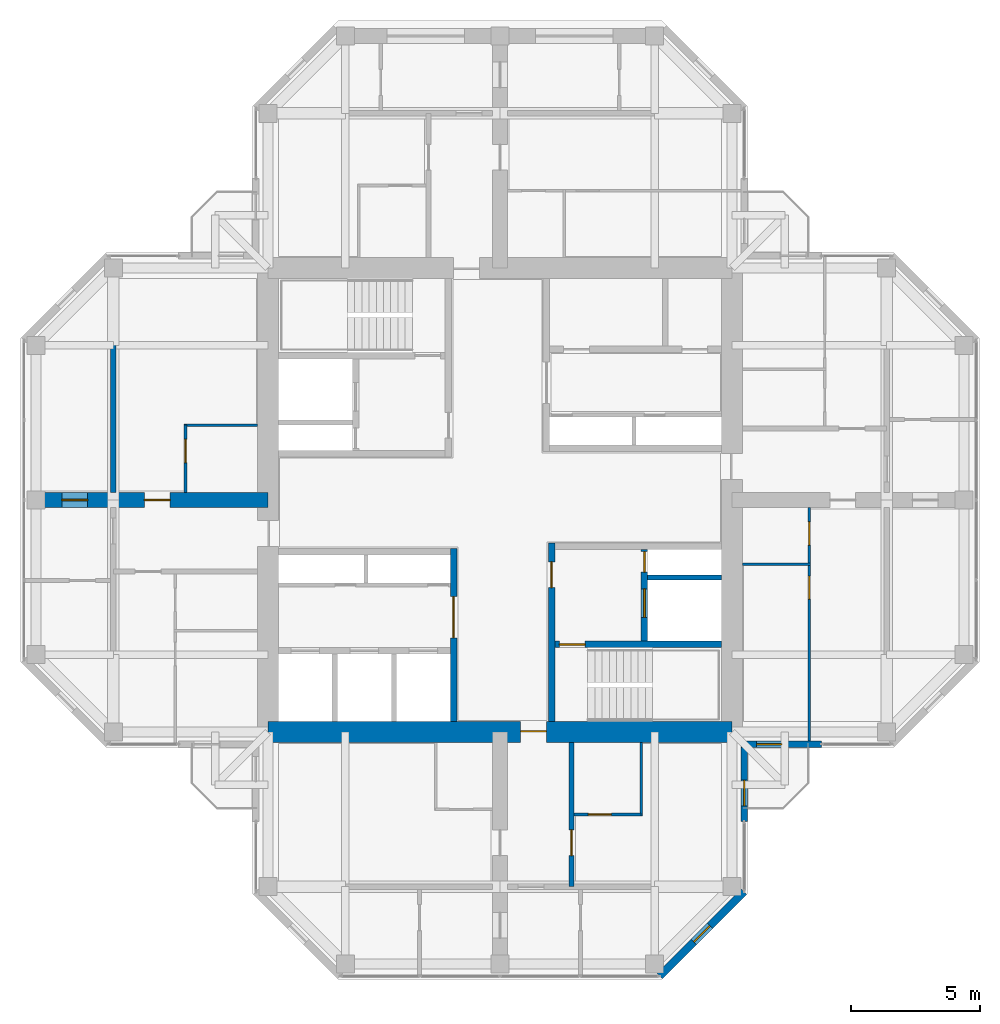
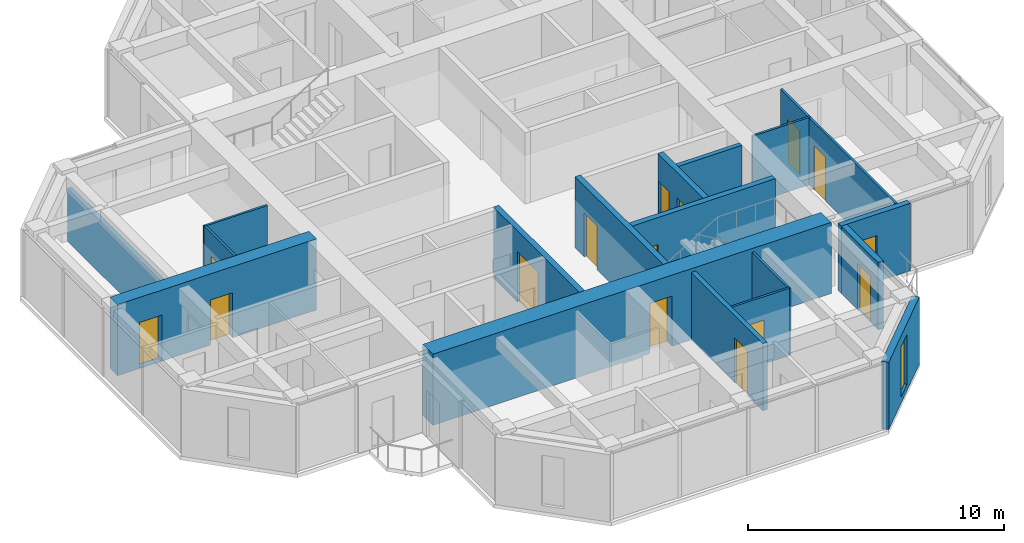
# One storey, part 9 of 13: 18 walls, 15 doors, 1 window, 16 openings.
"""IFC4 building model written with IfcOpenShell, lengths in metres."""

from ifc_helpers import new_model, si_unit, direction, frame, frame_2d, origin, place, context, subcontext, project, spatial, rectangle, hollow_rectangle, extrude, material, layer, layer_set, constituent, constituent_set, type_object, element, fill, save


model = new_model("IFC4")

# Units and contexts
model_context = context("Model", 3, precision=1e-05, world=origin(), true_north=direction((0.0, 1.0)))
body_context = subcontext(model_context, "Body", "Model", "MODEL_VIEW")
ifc_project = project(units=[si_unit("LENGTHUNIT", "METRE"), si_unit("AREAUNIT", "SQUARE_METRE"), si_unit("VOLUMEUNIT", "CUBIC_METRE"), si_unit("PLANEANGLEUNIT", "RADIAN"), si_unit("MASSUNIT", "GRAM", prefix="KILO")], contexts=[model_context])

# Site, building, storey
site_placement = place(None, origin())
site = spatial("IfcSite", under=ifc_project, at=site_placement, CompositionType="ELEMENT")
building_placement = place(site_placement, origin())
building = spatial("IfcBuilding", under=site, at=building_placement, Name="Torre Cruceta", CompositionType="ELEMENT")
storey_placement = place(building_placement, frame((0.0, 0.0, 278.10009765625)))
storey = spatial("IfcBuildingStorey", under=building, at=storey_placement, Name="L72", CompositionType="ELEMENT", Elevation=278.10009765625)

# Wall
ifc_material_1 = material(Name="Water-resistant plasterboard on steel studs", Category="steel")
ifc_layer_1 = layer(ifc_material_1, 0.10009765625)
ifc_layer_set_1 = layer_set([ifc_layer_1], Name="Water-resistant plasterboard on steel studs")
wall_type_1 = type_object("IfcWallType", Name="BATHROOM WALL 100", PredefinedType="PARTITIONING", material=ifc_layer_set_1)
wall_1_placement = place(storey_placement, frame((9.39990234375, -2.5, 0.0), z_axis=(0.0, 0.0, 1.0), x_axis=(1.0, 0.0, 0.0)))
element("IfcWall", 1, at=wall_1_placement, inside=storey, type_object=wall_type_1, Name="PT4 L72-E-U1RBB", PredefinedType="PARTITIONING", context=body_context, shape_type="SweptSolid", body=[
    extrude(rectangle(XDim=2.650146484375, YDim=0.10009765625, at=frame_2d((1.3251953125, 0.0))), origin(), (0.0, 0.0, 1.0), 3.219970703125),
])

# Wall, openings, doors
wall_2_placement = place(storey_placement, frame((12.0, -9.344970703125, 0.0), z_axis=(0.0, 0.0, 1.0), x_axis=(0.0, 1.0, 0.0)))
wall_2 = element("IfcWall", 2, at=wall_2_placement, inside=storey, type_object=wall_type_1, Name="PT4 L72-E-U1RBS", PredefinedType="PARTITIONING", context=body_context, shape_type="SweptSolid", body=[
    extrude(rectangle(XDim=9.044921875, YDim=0.10009765625, at=frame_2d((4.5224609375, 0.0))), origin(), (0.0, 0.0, 1.0), 3.219970703125),
])
opening_1_placement = place(wall_2_placement, frame((5.4951171875, 0.0, 0.0)))
opening_1 = element("IfcOpeningElement", 3, at=opening_1_placement, cuts=wall_2, Name="Opening D7", PredefinedType="OPENING", context=body_context, shape_type="SweptSolid", body=[
    extrude(rectangle(XDim=0.89990234375, YDim=2.10009765625, at=frame_2d((0.449951171875, 1.050048828125))), frame((0.0, 0.06005859375, 0.0), z_axis=(0.0, -1.0, 0.0), x_axis=(1.0, 0.0, 0.0)), (0.0, 0.0, 1.0), 0.1201171875),
])
opening_2_placement = place(wall_2_placement, frame((7.594970703125, 0.0, 0.0)))
opening_2 = element("IfcOpeningElement", 4, at=opening_2_placement, cuts=wall_2, Name="Opening D7", PredefinedType="OPENING", context=body_context, shape_type="SweptSolid", body=[
    extrude(rectangle(XDim=0.89990234375, YDim=2.10009765625, at=frame_2d((0.449951171875, 1.050048828125))), frame((0.0, 0.06005859375, 0.0), z_axis=(0.0, -1.0, 0.0), x_axis=(1.0, 0.0, 0.0)), (0.0, 0.0, 1.0), 0.1201171875),
])
ifc_material_2 = material(Name="Timber door", Category="wood")
door_type_1 = type_object("IfcDoorType", Name="BATHROOM DOOR 900X2100", OperationType="SINGLE_SWING_LEFT", PredefinedType="DOOR", material=ifc_material_2)
door_1_placement = place(opening_1_placement, origin())
door_1 = element("IfcDoor", 5, at=door_1_placement, inside=storey, type_object=door_type_1, Name="D7 L72-E-U1RBS-D1", OperationType="SINGLE_SWING_RIGHT", OverallHeight=2.10009765625, OverallWidth=0.89990234375, PredefinedType="DOOR", context=body_context, shape_type="SweptSolid", body=[
    extrude(rectangle(XDim=0.89990234375, YDim=2.10009765625, at=frame_2d((0.449951171875, 1.050048828125))), frame((0.0, 0.02490234375, 0.0), z_axis=(0.0, -1.0, 0.0), x_axis=(1.0, 0.0, 0.0)), (0.0, 0.0, 1.0), 0.050048828125),
])
fill(opening_1, door_1)
door_2_placement = place(opening_2_placement, origin())
door_2 = element("IfcDoor", 6, at=door_2_placement, inside=storey, type_object=door_type_1, Name="D7 L72-E-U1RBS-D2", OperationType="SINGLE_SWING_RIGHT", OverallHeight=2.10009765625, OverallWidth=0.89990234375, PredefinedType="DOOR", context=body_context, shape_type="SweptSolid", body=[
    extrude(rectangle(XDim=0.89990234375, YDim=2.10009765625, at=frame_2d((0.449951171875, 1.050048828125))), frame((0.0, 0.02490234375, 0.0), z_axis=(0.0, -1.0, 0.0), x_axis=(1.0, 0.0, 0.0)), (0.0, 0.0, 1.0), 0.050048828125),
])
fill(opening_2, door_2)

# Wall
wall_3_placement = place(storey_placement, frame((5.47509765625, -9.39990234375, 0.0), z_axis=(0.0, 0.0, 1.0), x_axis=(0.0, -1.0, 0.0)))
element("IfcWall", 7, at=wall_3_placement, inside=storey, type_object=wall_type_1, Name="PT4 L72-S-U1LBB", PredefinedType="PARTITIONING", context=body_context, shape_type="SweptSolid", body=[
    extrude(rectangle(XDim=2.85009765625, YDim=0.10009765625, at=frame_2d((1.425048828125, 0.0))), origin(), (0.0, 0.0, 1.0), 3.219970703125),
])

# Wall, opening, door
wall_4_placement = place(storey_placement, frame((2.875, -12.199951171875, 0.0), z_axis=(0.0, 0.0, 1.0), x_axis=(1.0, 0.0, 0.0)))
wall_4 = element("IfcWall", 8, at=wall_4_placement, inside=storey, type_object=wall_type_1, Name="PT4 L72-S-U1LBS", PredefinedType="PARTITIONING", context=body_context, shape_type="SweptSolid", body=[
    extrude(rectangle(XDim=2.60009765625, YDim=0.10009765625, at=frame_2d((1.300048828125, 0.0))), origin(), (0.0, 0.0, 1.0), 3.219970703125),
])
opening_3_placement = place(wall_4_placement, frame((0.550048828125, 0.0, 0.0)))
opening_3 = element("IfcOpeningElement", 9, at=opening_3_placement, cuts=wall_4, Name="Opening D7", PredefinedType="OPENING", context=body_context, shape_type="SweptSolid", body=[
    extrude(rectangle(XDim=0.89990234375, YDim=2.10009765625, at=frame_2d((0.449951171875, 1.050048828125))), frame((0.0, 0.06005859375, 0.0), z_axis=(0.0, -1.0, 0.0), x_axis=(1.0, 0.0, 0.0)), (0.0, 0.0, 1.0), 0.1201171875),
])
door_3_placement = place(opening_3_placement, origin())
door_3 = element("IfcDoor", 10, at=door_3_placement, inside=storey, type_object=door_type_1, Name="D7 L72-S-U1LBS-D1", OperationType="SINGLE_SWING_LEFT", OverallHeight=2.10009765625, OverallWidth=0.89990234375, PredefinedType="DOOR", context=body_context, shape_type="SweptSolid", body=[
    extrude(rectangle(XDim=0.89990234375, YDim=2.10009765625, at=frame_2d((0.449951171875, 1.050048828125))), frame((0.0, 0.02490234375, 0.0), z_axis=(0.0, -1.0, 0.0), x_axis=(1.0, 0.0, 0.0)), (0.0, 0.0, 1.0), 0.050048828125),
])
fill(opening_3, door_3)

# Wall
wall_5_placement = place(storey_placement, frame((-9.39990234375, 2.89990234375, 0.0), z_axis=(0.0, 0.0, 1.0), x_axis=(-1.0, 0.0, 0.0)))
element("IfcWall", 11, at=wall_5_placement, inside=storey, type_object=wall_type_1, Name="PT4 L72-W-U1RBB", PredefinedType="PARTITIONING", context=body_context, shape_type="SweptSolid", body=[
    extrude(rectangle(XDim=2.85009765625, YDim=0.10009765625, at=frame_2d((1.425048828125, 0.0))), origin(), (0.0, 0.0, 1.0), 3.219970703125),
])

# Wall, opening, door
wall_6_placement = place(storey_placement, frame((-12.199951171875, 2.89990234375, 0.0), z_axis=(0.0, 0.0, 1.0), x_axis=(0.0, -1.0, 0.0)))
wall_6 = element("IfcWall", 12, at=wall_6_placement, inside=storey, type_object=wall_type_1, Name="PT4 L72-W-U1RBS", PredefinedType="PARTITIONING", context=body_context, shape_type="SweptSolid", body=[
    extrude(rectangle(XDim=2.599853515625, YDim=0.10009765625, at=frame_2d((1.2998046875, 0.0))), origin(), (0.0, 0.0, 1.0), 3.219970703125),
])
opening_4_placement = place(wall_6_placement, frame((0.550048828125, 0.0, 0.0)))
opening_4 = element("IfcOpeningElement", 13, at=opening_4_placement, cuts=wall_6, Name="Opening D7", PredefinedType="OPENING", context=body_context, shape_type="SweptSolid", body=[
    extrude(rectangle(XDim=0.89990234375, YDim=2.10009765625, at=frame_2d((0.449951171875, 1.050048828125))), frame((0.0, 0.06005859375, 0.0), z_axis=(0.0, -1.0, 0.0), x_axis=(1.0, 0.0, 0.0)), (0.0, 0.0, 1.0), 0.1201171875),
])
door_4_placement = place(opening_4_placement, origin())
door_4 = element("IfcDoor", 14, at=door_4_placement, inside=storey, type_object=door_type_1, Name="D7 L72-W-U1RBS-D1", OperationType="SINGLE_SWING_LEFT", OverallHeight=2.10009765625, OverallWidth=0.89990234375, PredefinedType="DOOR", context=body_context, shape_type="SweptSolid", body=[
    extrude(rectangle(XDim=0.89990234375, YDim=2.10009765625, at=frame_2d((0.449951171875, 1.050048828125))), frame((0.0, 0.02490234375, 0.0), z_axis=(0.0, -1.0, 0.0), x_axis=(1.0, 0.0, 0.0)), (0.0, 0.0, 1.0), 0.050048828125),
])
fill(opening_4, door_4)

ifc_material_3 = material(Name="Concrete G60 (fck 60 MPa)", Category="concrete")
ifc_layer_2 = layer(ifc_material_3, 0.25)
ifc_layer_set_2 = layer_set([ifc_layer_2], Name="Concrete G60 (fck 60 MPa)")
wall_type_2 = type_object("IfcWallType", Name="CORE INNER WALL 250 G60", PredefinedType="SHEAR", material=ifc_layer_set_2)
wall_7_placement = place(storey_placement, frame((-1.800048828125, -1.875, 0.0), z_axis=(0.0, 0.0, 1.0), x_axis=(0.0, -1.0, 0.0)))
wall_7 = element("IfcWall", 15, at=wall_7_placement, inside=storey, type_object=wall_type_2, Name="CW4 L72 SW-CU", PredefinedType="SHEAR", context=body_context, shape_type="SweptSolid", body=[
    extrude(rectangle(XDim=6.72509765625, YDim=0.25, at=frame_2d((3.362548828125, 0.0))), origin(), (0.0, 0.0, 1.0), 3.39990234375),
])
opening_5_placement = place(wall_7_placement, frame((1.875, 0.0, 0.0)))
opening_5 = element("IfcOpeningElement", 16, at=opening_5_placement, cuts=wall_7, Name="Opening D8", PredefinedType="OPENING", context=body_context, shape_type="SweptSolid", body=[
    extrude(rectangle(XDim=1.60009765625, YDim=2.39990234375, at=frame_2d((0.800048828125, 1.199951171875))), frame((0.0, 0.135009765625, 0.0), z_axis=(0.0, -1.0, 0.0), x_axis=(1.0, 0.0, 0.0)), (0.0, 0.0, 1.0), 0.27001953125),
])
ifc_material_4 = material(Name="Steel DX51D", Category="steel")
ifc_constituent_1 = constituent(ifc_material_4, Name="Leaf and frame")
ifc_material_5 = material(Name="Polyester powder coating", Category="paint")
ifc_constituent_2 = constituent(ifc_material_5, Name="Finish")
ifc_material_6 = material(Name="Fire-resisting glass", Category="glass")
ifc_constituent_3 = constituent(ifc_material_6, Name="Vision panel")
ifc_constituent_set_1 = constituent_set(constituents=[ifc_constituent_1, ifc_constituent_2, ifc_constituent_3], Name="Steel fire door with vision panels")
door_type_2 = type_object("IfcDoorType", Name="LIFT LOBBY DOUBLE DOOR 1600X2400", OperationType="DOUBLE_DOOR_DOUBLE_SWING", PredefinedType="DOOR", material=ifc_constituent_set_1)
door_5_placement = place(opening_5_placement, origin())
door_5 = element("IfcDoor", 17, at=door_5_placement, inside=storey, type_object=door_type_2, Name="D8 L72 SW-LOBBY", OperationType="DOUBLE_DOOR_DOUBLE_SWING", OverallHeight=2.39990234375, OverallWidth=1.60009765625, PredefinedType="DOOR", context=body_context, shape_type="SweptSolid", body=[
    extrude(rectangle(XDim=1.60009765625, YDim=2.39990234375, at=frame_2d((0.800048828125, 1.199951171875))), frame((0.0, 0.02490234375, 0.0), z_axis=(0.0, -1.0, 0.0), x_axis=(1.0, 0.0, 0.0)), (0.0, 0.0, 1.0), 0.050048828125),
])
fill(opening_5, door_5)

wall_8_placement = place(storey_placement, frame((2.0, -1.675048828125, 0.0), z_axis=(0.0, 0.0, 1.0), x_axis=(0.0, -1.0, 0.0)))
wall_8 = element("IfcWall", 18, at=wall_8_placement, inside=storey, type_object=wall_type_2, Name="CW4 L72 SE-CU", PredefinedType="SHEAR", context=body_context, shape_type="SweptSolid", body=[
    extrude(rectangle(XDim=6.925048828125, YDim=0.25, at=frame_2d((3.46240234375, 0.0))), origin(), (0.0, 0.0, 1.0), 3.39990234375),
])
opening_6_placement = place(wall_8_placement, frame((0.72509765625, 0.0, 0.0)))
opening_6 = element("IfcOpeningElement", 19, at=opening_6_placement, cuts=wall_8, Name="Opening D3", PredefinedType="OPENING", context=body_context, shape_type="SweptSolid", body=[
    extrude(rectangle(XDim=1.0, YDim=2.10009765625, at=frame_2d((0.5, 1.050048828125))), frame((0.0, 0.135009765625, 0.0), z_axis=(0.0, -1.0, 0.0), x_axis=(1.0, 0.0, 0.0)), (0.0, 0.0, 1.0), 0.27001953125),
])
ifc_material_7 = material(Name="Steel DX51D", Category="steel")
ifc_constituent_4 = constituent(ifc_material_7, Name="Leaf and frame")
ifc_material_8 = material(Name="Polyester powder coating", Category="paint")
ifc_constituent_5 = constituent(ifc_material_8, Name="Finish")
ifc_constituent_set_2 = constituent_set(constituents=[ifc_constituent_4, ifc_constituent_5], Name="Steel fire door")
door_type_3 = type_object("IfcDoorType", Name="FIRE DOOR 1000X2100", OperationType="SINGLE_SWING_LEFT", PredefinedType="DOOR", material=ifc_constituent_set_2)
door_6_placement = place(opening_6_placement, origin())
door_6 = element("IfcDoor", 20, at=door_6_placement, inside=storey, type_object=door_type_3, Name="D3 L72 SE-LOBBY", OperationType="SINGLE_SWING_LEFT", OverallHeight=2.10009765625, OverallWidth=1.0, PredefinedType="DOOR", context=body_context, shape_type="SweptSolid", body=[
    extrude(rectangle(XDim=1.0, YDim=2.10009765625, at=frame_2d((0.5, 1.050048828125))), frame((0.0, 0.02490234375, 0.0), z_axis=(0.0, -1.0, 0.0), x_axis=(1.0, 0.0, 0.0)), (0.0, 0.0, 1.0), 0.050048828125),
])
fill(opening_6, door_6)

wall_9_placement = place(storey_placement, frame((2.125, -5.60009765625, 0.0), z_axis=(0.0, 0.0, 1.0), x_axis=(1.0, 0.0, 0.0)))
wall_9 = element("IfcWall", 21, at=wall_9_placement, inside=storey, type_object=wall_type_2, Name="CW4 L72 SE-SV", PredefinedType="SHEAR", context=body_context, shape_type="SweptSolid", body=[
    extrude(rectangle(XDim=6.47509765625, YDim=0.25, at=frame_2d((3.237548828125, 0.0))), origin(), (0.0, 0.0, 1.0), 3.39990234375),
])
opening_7_placement = place(wall_9_placement, frame((0.175048828125, 0.0, 0.0)))
opening_7 = element("IfcOpeningElement", 22, at=opening_7_placement, cuts=wall_9, Name="Opening D3", PredefinedType="OPENING", context=body_context, shape_type="SweptSolid", body=[
    extrude(rectangle(XDim=1.0, YDim=2.10009765625, at=frame_2d((0.5, 1.050048828125))), frame((0.0, 0.135009765625, 0.0), z_axis=(0.0, -1.0, 0.0), x_axis=(1.0, 0.0, 0.0)), (0.0, 0.0, 1.0), 0.27001953125),
])
door_7_placement = place(opening_7_placement, frame((1.0, 0.0, 0.0), z_axis=(0.0, 0.0, 1.0), x_axis=(-1.0, 0.0, 0.0)))
door_7 = element("IfcDoor", 23, at=door_7_placement, inside=storey, type_object=door_type_3, Name="D3 L72 SE-STAIR", OperationType="SINGLE_SWING_RIGHT", OverallHeight=2.10009765625, OverallWidth=1.0, PredefinedType="DOOR", context=body_context, shape_type="SweptSolid", body=[
    extrude(rectangle(XDim=1.0, YDim=2.10009765625, at=frame_2d((0.5, 1.050048828125))), frame((0.0, 0.025146484375, 0.0), z_axis=(0.0, -1.0, 0.0), x_axis=(1.0, 0.0, 0.0)), (0.0, 0.0, 1.0), 0.050048828125),
])
fill(opening_7, door_7)

# Wall, openings, doors
wall_10_placement = place(storey_placement, frame((5.60009765625, -1.925048828125, 0.0), z_axis=(0.0, 0.0, 1.0), x_axis=(0.0, -1.0, 0.0)))
wall_10 = element("IfcWall", 24, at=wall_10_placement, inside=storey, type_object=wall_type_2, Name="CW4 L72 SE-FU", PredefinedType="SHEAR", context=body_context, shape_type="SweptSolid", body=[
    extrude(rectangle(XDim=3.550048828125, YDim=0.25, at=frame_2d((1.77490234375, 0.0))), origin(), (0.0, 0.0, 1.0), 3.39990234375),
])
opening_8_placement = place(wall_10_placement, frame((1.52490234375, 0.0, 0.0)))
opening_8 = element("IfcOpeningElement", 25, at=opening_8_placement, cuts=wall_10, Name="Opening LD1", PredefinedType="OPENING", context=body_context, shape_type="SweptSolid", body=[
    extrude(rectangle(XDim=1.10009765625, YDim=2.199951171875, at=frame_2d((0.550048828125, 1.10009765625))), frame((0.0, 0.135009765625, 0.0), z_axis=(0.0, -1.0, 0.0), x_axis=(1.0, 0.0, 0.0)), (0.0, 0.0, 1.0), 0.27001953125),
])
opening_9_placement = place(wall_10_placement, frame((0.074951171875, 0.0, 0.0)))
opening_9 = element("IfcOpeningElement", 26, at=opening_9_placement, cuts=wall_10, Name="Opening D5", PredefinedType="OPENING", context=body_context, shape_type="SweptSolid", body=[
    extrude(rectangle(XDim=0.800048828125, YDim=2.10009765625, at=frame_2d((0.39990234375, 1.050048828125))), frame((0.0, 0.135009765625, 0.0), z_axis=(0.0, -1.0, 0.0), x_axis=(1.0, 0.0, 0.0)), (0.0, 0.0, 1.0), 0.27001953125),
])
ifc_material_9 = material(Name="Stainless steel 1.4401", Category="steel")
door_type_4 = type_object("IfcDoorType", Name="LIFT LANDING DOOR 1100X2200", OperationType="DOUBLE_DOOR_SLIDING", PredefinedType="DOOR", material=ifc_material_9)
door_8_placement = place(opening_8_placement, origin())
door_8 = element("IfcDoor", 27, at=door_8_placement, inside=storey, type_object=door_type_4, Name="Lift landing door FL2", OperationType="DOUBLE_DOOR_SLIDING", OverallHeight=2.199951171875, OverallWidth=1.10009765625, PredefinedType="DOOR", context=body_context, shape_type="SweptSolid", body=[
    extrude(rectangle(XDim=1.10009765625, YDim=2.199951171875, at=frame_2d((0.550048828125, 1.10009765625))), frame((0.0, 0.02490234375, 0.0), z_axis=(0.0, -1.0, 0.0), x_axis=(1.0, 0.0, 0.0)), (0.0, 0.0, 1.0), 0.050048828125),
])
fill(opening_8, door_8)
ifc_material_10 = material(Name="Steel DX51D", Category="steel")
ifc_constituent_6 = constituent(ifc_material_10, Name="Leaf and frame")
ifc_material_11 = material(Name="Polyester powder coating", Category="paint")
ifc_constituent_7 = constituent(ifc_material_11, Name="Finish")
ifc_constituent_set_3 = constituent_set(constituents=[ifc_constituent_6, ifc_constituent_7], Name="Steel fire door")
door_type_5 = type_object("IfcDoorType", Name="RISER ACCESS DOOR 800X2100", OperationType="SINGLE_SWING_LEFT", PredefinedType="DOOR", material=ifc_constituent_set_3)
door_9_placement = place(opening_9_placement, origin())
door_9 = element("IfcDoor", 28, at=door_9_placement, inside=storey, type_object=door_type_5, Name="D5 L72 SE-RISER", OperationType="SINGLE_SWING_LEFT", OverallHeight=2.10009765625, OverallWidth=0.800048828125, PredefinedType="DOOR", context=body_context, shape_type="SweptSolid", body=[
    extrude(rectangle(XDim=0.800048828125, YDim=2.10009765625, at=frame_2d((0.39990234375, 1.050048828125))), frame((0.0, 0.02490234375, 0.0), z_axis=(0.0, -1.0, 0.0), x_axis=(1.0, 0.0, 0.0)), (0.0, 0.0, 1.0), 0.050048828125),
])
fill(opening_9, door_9)

# Wall, opening, door
ifc_material_12 = material(Name="Concrete G60 (fck 60 MPa)", Category="concrete")
ifc_layer_3 = layer(ifc_material_12, 0.800048828125)
ifc_layer_set_3 = layer_set([ifc_layer_3], Name="Concrete G60 (fck 60 MPa)")
wall_type_3 = type_object("IfcWallType", Name="CORE WALL 800 G60", PredefinedType="SHEAR", material=ifc_layer_set_3)
wall_11_placement = place(storey_placement, frame((-9.0, -9.0, 0.0), z_axis=(0.0, 0.0, 1.0), x_axis=(1.0, 0.0, 0.0)))
wall_11 = element("IfcWall", 29, at=wall_11_placement, inside=storey, type_object=wall_type_3, Name="CW3 L72 CW-S", PredefinedType="SHEAR", context=body_context, shape_type="SweptSolid", body=[
    extrude(rectangle(XDim=18.0, YDim=0.800048828125, at=frame_2d((9.0, 0.0))), origin(), (0.0, 0.0, 1.0), 3.39990234375),
])
opening_10_placement = place(wall_11_placement, frame((9.800048828125, 0.0, 0.0)))
opening_10 = element("IfcOpeningElement", 30, at=opening_10_placement, cuts=wall_11, Name="Opening D4", PredefinedType="OPENING", context=body_context, shape_type="SweptSolid", body=[
    extrude(rectangle(XDim=1.0, YDim=2.39990234375, at=frame_2d((0.5, 1.199951171875))), frame((0.0, 0.409912109375, 0.0), z_axis=(0.0, -1.0, 0.0), x_axis=(1.0, 0.0, 0.0)), (0.0, 0.0, 1.0), 0.820068359375),
])
ifc_material_13 = material(Name="Steel DX51D", Category="steel")
ifc_constituent_8 = constituent(ifc_material_13, Name="Leaf and frame")
ifc_material_14 = material(Name="Polyester powder coating", Category="paint")
ifc_constituent_9 = constituent(ifc_material_14, Name="Finish")
ifc_constituent_set_4 = constituent_set(constituents=[ifc_constituent_8, ifc_constituent_9], Name="Steel fire door")
door_type_6 = type_object("IfcDoorType", Name="CORE ARM DOOR 1000X2400", OperationType="SINGLE_SWING_RIGHT", PredefinedType="DOOR", material=ifc_constituent_set_4)
door_10_placement = place(opening_10_placement, origin())
door_10 = element("IfcDoor", 31, at=door_10_placement, inside=storey, type_object=door_type_6, Name="D4 L72 CW-S", OperationType="SINGLE_SWING_RIGHT", OverallHeight=2.39990234375, OverallWidth=1.0, PredefinedType="DOOR", context=body_context, shape_type="SweptSolid", body=[
    extrude(rectangle(XDim=1.0, YDim=2.39990234375, at=frame_2d((0.5, 1.199951171875))), frame((0.0, 0.05517578125, 0.0), z_axis=(0.0, -1.0, 0.0), x_axis=(1.0, 0.0, 0.0)), (0.0, 0.0, 1.0), 0.050048828125),
])
fill(opening_10, door_10)

ifc_material_15 = material(Name="Concrete G25 (fck 25 MPa)", Category="concrete")
ifc_layer_4 = layer(ifc_material_15, 0.199951171875)
ifc_layer_set_4 = layer_set([ifc_layer_4], Name="Concrete G25 (fck 25 MPa)")
wall_type_4 = type_object("IfcWallType", Name="CORRIDOR WALL 200", PredefinedType="SOLIDWALL", material=ifc_layer_set_4)
wall_12_placement = place(storey_placement, frame((2.77490234375, -9.39990234375, 0.0), z_axis=(0.0, 0.0, 1.0), x_axis=(0.0, -1.0, 0.0)))
wall_12 = element("IfcWall", 32, at=wall_12_placement, inside=storey, type_object=wall_type_4, Name="PT3 L72-S-CL", PredefinedType="SOLIDWALL", context=body_context, shape_type="SweptSolid", body=[
    extrude(rectangle(XDim=5.60009765625, YDim=0.199951171875, at=frame_2d((2.800048828125, 0.0))), origin(), (0.0, 0.0, 1.0), 3.219970703125),
])
opening_11_placement = place(wall_12_placement, frame((3.39990234375, 0.0, 0.0)))
opening_11 = element("IfcOpeningElement", 33, at=opening_11_placement, cuts=wall_12, Name="Opening D6", PredefinedType="OPENING", context=body_context, shape_type="SweptSolid", body=[
    extrude(rectangle(XDim=1.0, YDim=2.14990234375, at=frame_2d((0.5, 1.074951171875))), frame((0.0, 0.10986328125, 0.0), z_axis=(0.0, -1.0, 0.0), x_axis=(1.0, 0.0, 0.0)), (0.0, 0.0, 1.0), 0.219970703125),
])
ifc_material_16 = material(Name="Timber fire door", Category="wood")
door_type_7 = type_object("IfcDoorType", Name="UNIT ENTRANCE DOOR 1000X2150", OperationType="SINGLE_SWING_LEFT", PredefinedType="DOOR", material=ifc_material_16)
door_11_placement = place(opening_11_placement, origin())
door_11 = element("IfcDoor", 34, at=door_11_placement, inside=storey, type_object=door_type_7, Name="D6 L72-S-CL-D1", OperationType="SINGLE_SWING_LEFT", OverallHeight=2.14990234375, OverallWidth=1.0, PredefinedType="DOOR", context=body_context, shape_type="SweptSolid", body=[
    extrude(rectangle(XDim=1.0, YDim=2.14990234375, at=frame_2d((0.5, 1.074951171875))), frame((0.0, 0.02490234375, 0.0), z_axis=(0.0, -1.0, 0.0), x_axis=(1.0, 0.0, 0.0)), (0.0, 0.0, 1.0), 0.050048828125),
])
fill(opening_11, door_11)

# Wall, opening, window
ifc_material_17 = material(Name="Concrete G30 (fck 30 MPa)", Category="concrete")
ifc_layer_5 = layer(ifc_material_17, 0.300048828125)
ifc_layer_set_5 = layer_set([ifc_layer_5], Name="Concrete G30 (fck 30 MPa)")
wall_type_5 = type_object("IfcWallType", Name="EXPOSED CONCRETE FACADE WALL 300", PredefinedType="SOLIDWALL", material=ifc_layer_set_5)
wall_13_placement = place(storey_placement, frame((6.194580078125, -18.469970703125, 0.0), z_axis=(0.0, 0.0, 1.0), x_axis=(0.707106781187, 0.707106781187, 0.0)))
wall_13 = element("IfcWall", 35, at=wall_13_placement, inside=storey, type_object=wall_type_5, Name="EW1 facade wall L72 S chamfer 18", PredefinedType="SOLIDWALL", context=body_context, shape_type="SweptSolid", body=[
    extrude(rectangle(XDim=4.632080078125, YDim=0.300048828125, at=frame_2d((2.31591796875, 0.0))), origin(), (0.0, 0.0, 1.0), 3.219970703125),
])
opening_12_placement = place(wall_13_placement, frame((1.865966796875, 0.0, 0.300048828125)))
opening_12 = element("IfcOpeningElement", 36, at=opening_12_placement, cuts=wall_13, Name="Opening WN5", PredefinedType="OPENING", context=body_context, shape_type="SweptSolid", body=[
    extrude(rectangle(XDim=0.89990234375, YDim=2.39990234375, at=frame_2d((0.449951171875, 1.199951171875))), frame((0.0, 0.159912109375, 0.0), z_axis=(0.0, -1.0, 0.0), x_axis=(1.0, 0.0, 0.0)), (0.0, 0.0, 1.0), 0.320068359375),
])
ifc_material_18 = material(Name="Aluminium window frame", Category="aluminium")
ifc_constituent_10 = constituent(ifc_material_18, Name="Frame")
ifc_material_19 = material(Name="Laminated insulating glass unit, low-iron clear", Category="glass")
ifc_constituent_11 = constituent(ifc_material_19, Name="Glazing")
ifc_constituent_set_5 = constituent_set(constituents=[ifc_constituent_10, ifc_constituent_11], Name="Aluminium window")
window_type = type_object("IfcWindowType", Name="CHAMFER SLOT WINDOW 900X2400", PartitioningType="SINGLE_PANEL", PredefinedType="WINDOW", material=ifc_constituent_set_5)
window_placement = place(opening_12_placement, origin())
window = element("IfcWindow", 37, at=window_placement, inside=storey, type_object=window_type, Name="WN5 L72 S 1", OverallHeight=2.39990234375, OverallWidth=0.89990234375, PartitioningType="SINGLE_PANEL", PredefinedType="WINDOW", context=body_context, shape_type="SweptSolid", body=[
    extrude(hollow_rectangle(XDim=0.89990234375, YDim=2.39990234375, WallThickness=0.06005859375, at=frame_2d((0.449951171875, 1.199951171875))), frame((0.0, 0.030029296875, 0.0), z_axis=(0.0, -1.0, 0.0), x_axis=(1.0, 0.0, 0.0)), (0.0, 0.0, 1.0), 0.06005859375),
    extrude(rectangle(XDim=0.77880859375, YDim=2.27880859375, at=frame_2d((0.449951171875, 1.199951171875))), frame((0.0, 0.030029296875, 0.0), z_axis=(0.0, -1.0, 0.0), x_axis=(1.0, 0.0, 0.0)), (0.0, 0.0, 1.0), 0.06005859375),
])
fill(opening_12, window)

# Wall
ifc_material_20 = material(Name="Concrete G35 (fck 35 MPa)", Category="concrete")
ifc_layer_6 = layer(ifc_material_20, 0.199951171875)
ifc_layer_set_6 = layer_set([ifc_layer_6], Name="Concrete G35 (fck 35 MPa)")
wall_type_6 = type_object("IfcWallType", Name="LIFT SHAFT WALL 200", PredefinedType="PARTITIONING", material=ifc_layer_set_6)
wall_14_placement = place(storey_placement, frame((5.72509765625, -3.0, 0.0), z_axis=(0.0, 0.0, 1.0), x_axis=(1.0, 0.0, 0.0)))
element("IfcWall", 38, at=wall_14_placement, inside=storey, type_object=wall_type_6, Name="SW1 L72 SE-FR", PredefinedType="PARTITIONING", context=body_context, shape_type="SweptSolid", body=[
    extrude(rectangle(XDim=2.875, YDim=0.199951171875, at=frame_2d((1.4375, 0.0))), origin(), (0.0, 0.0, 1.0), 3.39990234375),
])

# Wall, openings, doors
ifc_material_21 = material(Name="Concrete G60 (fck 60 MPa)", Category="concrete")
ifc_layer_7 = layer(ifc_material_21, 0.60009765625)
ifc_layer_set_7 = layer_set([ifc_layer_7], Name="Concrete G60 (fck 60 MPa)")
wall_type_7 = type_object("IfcWallType", Name="SPINE WALL 600 G60", PredefinedType="SHEAR", material=ifc_layer_set_7)
wall_15_placement = place(storey_placement, frame((-9.0, 0.0, 0.0), z_axis=(0.0, 0.0, 1.0), x_axis=(-1.0, 0.0, 0.0)))
wall_15 = element("IfcWall", 39, at=wall_15_placement, inside=storey, type_object=wall_type_7, Name="SW5 spine wall L72 W", PredefinedType="SHEAR", context=body_context, shape_type="SweptSolid", body=[
    extrude(rectangle(XDim=9.0, YDim=0.60009765625, at=frame_2d((4.5, 0.0))), origin(), (0.0, 0.0, 1.0), 3.39990234375),
])
opening_13_placement = place(wall_15_placement, frame((3.800048828125, 0.0, 0.0)))
opening_13 = element("IfcOpeningElement", 40, at=opening_13_placement, cuts=wall_15, Name="Opening D6", PredefinedType="OPENING", context=body_context, shape_type="SweptSolid", body=[
    extrude(rectangle(XDim=1.0, YDim=2.14990234375, at=frame_2d((0.5, 1.074951171875))), frame((0.0, 0.31005859375, 0.0), z_axis=(0.0, -1.0, 0.0), x_axis=(1.0, 0.0, 0.0)), (0.0, 0.0, 1.0), 0.6201171875),
])
opening_14_placement = place(wall_15_placement, frame((7.0, 0.0, 0.0)))
opening_14 = element("IfcOpeningElement", 41, at=opening_14_placement, cuts=wall_15, Name="Opening D14", PredefinedType="OPENING", context=body_context, shape_type="SweptSolid", body=[
    extrude(rectangle(XDim=1.0, YDim=2.199951171875, at=frame_2d((0.5, 1.10009765625))), frame((0.0, 0.31005859375, 0.0), z_axis=(0.0, -1.0, 0.0), x_axis=(1.0, 0.0, 0.0)), (0.0, 0.0, 1.0), 0.6201171875),
])
ifc_material_22 = material(Name="Steel DX51D", Category="steel")
ifc_constituent_12 = constituent(ifc_material_22, Name="Leaf and frame")
ifc_material_23 = material(Name="Polyester powder coating", Category="paint")
ifc_constituent_13 = constituent(ifc_material_23, Name="Finish")
ifc_material_24 = material(Name="Fire-resisting glass", Category="glass")
ifc_constituent_14 = constituent(ifc_material_24, Name="Vision panel")
ifc_constituent_set_6 = constituent_set(constituents=[ifc_constituent_12, ifc_constituent_13, ifc_constituent_14], Name="Steel fire door with vision panel")
door_type_8 = type_object("IfcDoorType", Name="FIRE DOOR VISION PANEL 1000X2200", OperationType="SINGLE_SWING_RIGHT", PredefinedType="DOOR", material=ifc_constituent_set_6)
door_12_placement = place(opening_14_placement, origin())
door_12 = element("IfcDoor", 42, at=door_12_placement, inside=storey, type_object=door_type_8, Name="D14 L72-W-SP2", OperationType="SINGLE_SWING_LEFT", OverallHeight=2.199951171875, OverallWidth=1.0, PredefinedType="DOOR", context=body_context, shape_type="SweptSolid", body=[
    extrude(rectangle(XDim=1.0, YDim=2.199951171875, at=frame_2d((0.5, 1.10009765625))), frame((0.0, 0.02490234375, 0.0), z_axis=(0.0, -1.0, 0.0), x_axis=(1.0, 0.0, 0.0)), (0.0, 0.0, 1.0), 0.050048828125),
])
fill(opening_14, door_12)
door_13_placement = place(opening_13_placement, frame((1.0, 0.0, 0.0), z_axis=(0.0, 0.0, 1.0), x_axis=(-1.0, 0.0, 0.0)))
door_13 = element("IfcDoor", 43, at=door_13_placement, inside=storey, type_object=door_type_7, Name="D6 L72-W-SP1", OperationType="SINGLE_SWING_RIGHT", OverallHeight=2.14990234375, OverallWidth=1.0, PredefinedType="DOOR", context=body_context, shape_type="SweptSolid", body=[
    extrude(rectangle(XDim=1.0, YDim=2.14990234375, at=frame_2d((0.5, 1.074951171875))), frame((0.0, 0.025146484375, 0.0), z_axis=(0.0, -1.0, 0.0), x_axis=(1.0, 0.0, 0.0)), (0.0, 0.0, 1.0), 0.050048828125),
])
fill(opening_13, door_13)

# Wall
ifc_material_25 = material(Name="Concrete G25 (fck 25 MPa)", Category="concrete")
ifc_layer_8 = layer(ifc_material_25, 0.199951171875)
ifc_layer_set_8 = layer_set([ifc_layer_8], Name="Concrete G25 (fck 25 MPa)")
wall_type_8 = type_object("IfcWallType", Name="UNIT SEPARATING WALL 200", PredefinedType="SOLIDWALL", material=ifc_layer_set_8)
wall_16_placement = place(storey_placement, frame((-15.0, 8.64990234375, 0.0), z_axis=(0.0, 0.0, 1.0), x_axis=(0.0, -1.0, 0.0)))
element("IfcWall", 44, at=wall_16_placement, inside=storey, type_object=wall_type_8, Name="PT2 L72-W-ENDa", PredefinedType="SOLIDWALL", context=body_context, shape_type="SweptSolid", body=[
    extrude(rectangle(XDim=8.349853515625, YDim=0.199951171875, at=frame_2d((4.1748046875, 0.0))), origin(), (0.0, 0.0, 1.0), 2.52001953125),
])

# Wall, opening, door
ifc_material_26 = material(Name="Concrete G30 (fck 30 MPa)", Category="concrete")
ifc_layer_9 = layer(ifc_material_26, 0.25)
ifc_layer_set_9 = layer_set([ifc_layer_9], Name="Concrete G30 (fck 30 MPa)")
wall_type_9 = type_object("IfcWallType", Name="WINTER GARDEN WALL 250", PredefinedType="SOLIDWALL", material=ifc_layer_set_9)
wall_17_placement = place(storey_placement, frame((9.344970703125, -9.469970703125, 0.0), z_axis=(0.0, 0.0, 1.0), x_axis=(1.0, 0.0, 0.0)))
wall_17 = element("IfcWall", 45, at=wall_17_placement, inside=storey, type_object=wall_type_9, Name="EW2 winter garden wall L72 00", PredefinedType="SOLIDWALL", context=body_context, shape_type="SweptSolid", body=[
    extrude(rectangle(XDim=3.125, YDim=0.25, at=frame_2d((1.5625, 0.0))), origin(), (0.0, 0.0, 1.0), 3.219970703125),
])
opening_15_placement = place(wall_17_placement, frame((0.60009765625, 0.0, 0.0)))
opening_15 = element("IfcOpeningElement", 46, at=opening_15_placement, cuts=wall_17, Name="Opening D10", PredefinedType="OPENING", context=body_context, shape_type="SweptSolid", body=[
    extrude(rectangle(XDim=1.0, YDim=2.199951171875, at=frame_2d((0.5, 1.10009765625))), frame((0.0, 0.135009765625, 0.0), z_axis=(0.0, -1.0, 0.0), x_axis=(1.0, 0.0, 0.0)), (0.0, 0.0, 1.0), 0.27001953125),
])
ifc_material_27 = material(Name="Aluminium door frame", Category="aluminium")
ifc_constituent_15 = constituent(ifc_material_27, Name="Frame")
ifc_material_28 = material(Name="Laminated safety glass", Category="glass")
ifc_constituent_16 = constituent(ifc_material_28, Name="Glazing")
ifc_constituent_set_7 = constituent_set(constituents=[ifc_constituent_15, ifc_constituent_16], Name="Aluminium glazed door")
door_type_9 = type_object("IfcDoorType", Name="BALCONY DOOR 1000X2200", OperationType="SINGLE_SWING_RIGHT", PredefinedType="DOOR", material=ifc_constituent_set_7)
door_14_placement = place(opening_15_placement, origin())
door_14 = element("IfcDoor", 47, at=door_14_placement, inside=storey, type_object=door_type_9, Name="D10 balcony door L72 00", OperationType="SINGLE_SWING_LEFT", OverallHeight=2.199951171875, OverallWidth=1.0, PredefinedType="DOOR", context=body_context, shape_type="SweptSolid", body=[
    extrude(hollow_rectangle(XDim=1.0, YDim=2.199951171875, WallThickness=0.06005859375, at=frame_2d((0.5, 1.10009765625))), frame((0.0, 0.02490234375, 0.0), z_axis=(0.0, -1.0, 0.0), x_axis=(1.0, 0.0, 0.0)), (0.0, 0.0, 1.0), 0.050048828125),
    extrude(rectangle(XDim=0.87890625, YDim=2.078857421875, at=frame_2d((0.5, 1.10009765625))), frame((0.0, 0.02490234375, 0.0), z_axis=(0.0, -1.0, 0.0), x_axis=(1.0, 0.0, 0.0)), (0.0, 0.0, 1.0), 0.050048828125),
])
fill(opening_15, door_14)

wall_18_placement = place(storey_placement, frame((9.469970703125, -12.469970703125, 0.0), z_axis=(0.0, 0.0, 1.0), x_axis=(0.0, 1.0, 0.0)))
wall_18 = element("IfcWall", 48, at=wall_18_placement, inside=storey, type_object=wall_type_9, Name="EW2 winter garden wall L72 19", PredefinedType="SOLIDWALL", context=body_context, shape_type="SweptSolid", body=[
    extrude(rectangle(XDim=2.875, YDim=0.25, at=frame_2d((1.4375, 0.0))), origin(), (0.0, 0.0, 1.0), 3.219970703125),
])
opening_16_placement = place(wall_18_placement, frame((0.60009765625, 0.0, 0.0)))
opening_16 = element("IfcOpeningElement", 49, at=opening_16_placement, cuts=wall_18, Name="Opening D10", PredefinedType="OPENING", context=body_context, shape_type="SweptSolid", body=[
    extrude(rectangle(XDim=1.0, YDim=2.199951171875, at=frame_2d((0.5, 1.10009765625))), frame((0.0, 0.135009765625, 0.0), z_axis=(0.0, -1.0, 0.0), x_axis=(1.0, 0.0, 0.0)), (0.0, 0.0, 1.0), 0.27001953125),
])
door_15_placement = place(opening_16_placement, origin())
door_15 = element("IfcDoor", 50, at=door_15_placement, inside=storey, type_object=door_type_9, Name="D10 balcony door L72 19", OperationType="SINGLE_SWING_RIGHT", OverallHeight=2.199951171875, OverallWidth=1.0, PredefinedType="DOOR", context=body_context, shape_type="SweptSolid", body=[
    extrude(hollow_rectangle(XDim=1.0, YDim=2.199951171875, WallThickness=0.06005859375, at=frame_2d((0.5, 1.10009765625))), frame((0.0, 0.02490234375, 0.0), z_axis=(0.0, -1.0, 0.0), x_axis=(1.0, 0.0, 0.0)), (0.0, 0.0, 1.0), 0.050048828125),
    extrude(rectangle(XDim=0.87890625, YDim=2.078857421875, at=frame_2d((0.5, 1.10009765625))), frame((0.0, 0.02490234375, 0.0), z_axis=(0.0, -1.0, 0.0), x_axis=(1.0, 0.0, 0.0)), (0.0, 0.0, 1.0), 0.050048828125),
])
fill(opening_16, door_15)

save(model, "model.ifc")
